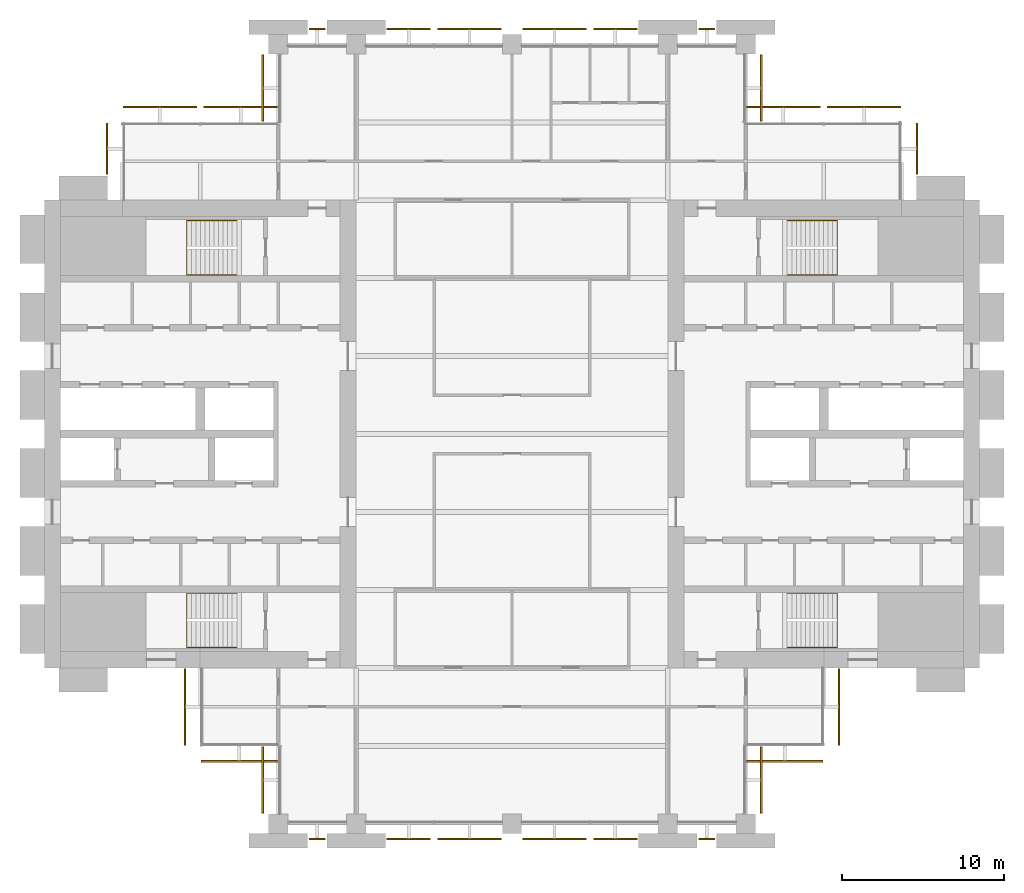
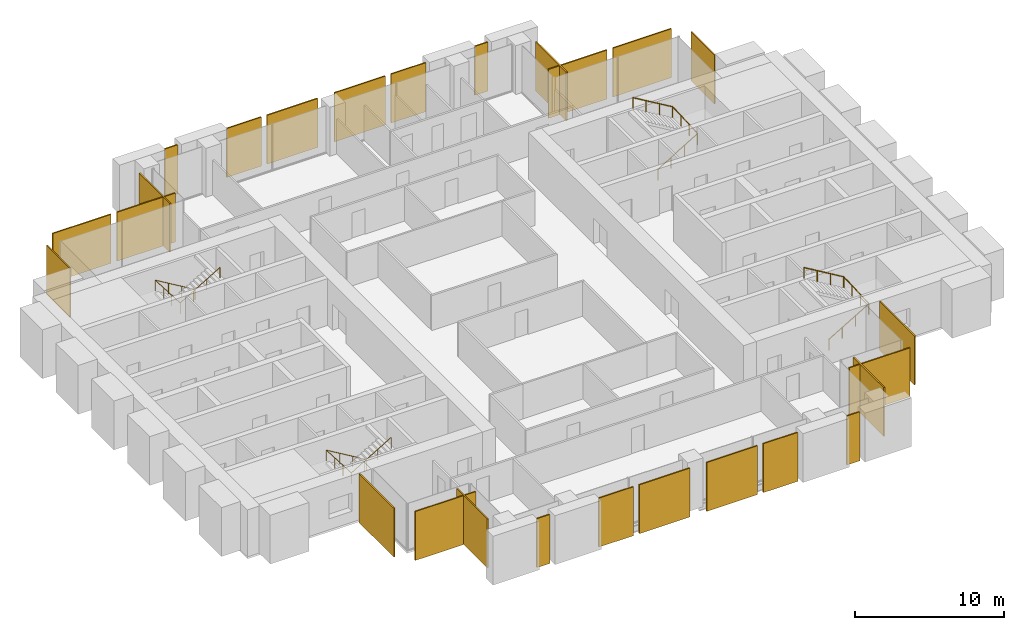
# One storey, part 14 of 14: 26 coverings, 4 railings.
"""IFC4 building model written with IfcOpenShell, lengths in metres."""

from ifc_helpers import new_model, si_unit, direction, frame, origin, origin_2d, place, context, subcontext, project, spatial, polyline, circle, outline, extrude, material, layer, layer_set, type_object, element, save


model = new_model("IFC4")

# Units and contexts
model_context = context("Model", 3, precision=1e-05, world=origin(), true_north=direction((0.0, 1.0)))
body_context = subcontext(model_context, "Body", "Model", "MODEL_VIEW")
ifc_project = project(units=[si_unit("LENGTHUNIT", "METRE"), si_unit("AREAUNIT", "SQUARE_METRE"), si_unit("VOLUMEUNIT", "CUBIC_METRE"), si_unit("PLANEANGLEUNIT", "RADIAN"), si_unit("MASSUNIT", "GRAM", prefix="KILO")], contexts=[model_context])

# Site, building, storey
site_placement = place(None, origin())
site = spatial("IfcSite", under=ifc_project, at=site_placement, CompositionType="ELEMENT")
building_placement = place(site_placement, origin())
building = spatial("IfcBuilding", under=site, at=building_placement, Name="Baori Bourse Tower", CompositionType="ELEMENT")
storey_placement = place(building_placement, frame((0.0, 0.0, 124.10009765625)))
storey = spatial("IfcBuildingStorey", under=building, at=storey_placement, Name="L26", CompositionType="ELEMENT", Elevation=124.10009765625)

# Railings
ifc_material_1 = material(Name="Powder-coated steel balustrade", Category="steel")
railing_type = type_object("IfcRailingType", Name="Core stair handrail", PredefinedType="HANDRAIL", material=ifc_material_1)
railing_1_placement = place(storey_placement, frame((11.85009765625, 14.199951171875, 0.16650390625)))
element("IfcRailing", 1, at=railing_1_placement, inside=storey, type_object=railing_type, Name="L26 ST1 stair handrail 1", PredefinedType="HANDRAIL", context=body_context, shape_type="SweptSolid", body=[
    extrude(circle(Radius=0.02392578125, at=origin_2d()), frame((0.0, 0.0, 0.8759765625), z_axis=(-0.85927862911, 0.0, 0.511507807912), x_axis=(0.0, -1.0, 0.0)), (0.0, 0.0, 1.0), 3.58447265625),
    extrude(circle(Radius=0.02392578125, at=origin_2d()), frame((-3.080078125, 0.0, 2.70947265625), z_axis=(0.0, -0.998766999029, 0.049643545903), x_axis=(1.0, 0.0, 0.0)), (0.0, 0.0, 1.0), 3.35400390625),
    extrude(circle(Radius=0.02392578125, at=origin_2d()), frame((-3.080078125, -3.349853515625, 2.8759765625), z_axis=(0.85927862911, 0.0, 0.511507807912), x_axis=(0.0, 1.0, 0.0)), (0.0, 0.0, 1.0), 3.58447265625),
    extrude(circle(Radius=0.02099609375, at=origin_2d()), origin(), (0.0, 0.0, 1.0), 0.851806640625),
    extrude(circle(Radius=0.02099609375, at=origin_2d()), frame((-1.026611328125, 0.0, 0.611083984375)), (0.0, 0.0, 1.0), 0.851806640625),
    extrude(circle(Radius=0.02099609375, at=origin_2d()), frame((-2.053466796875, 0.0, 1.222412109375)), (0.0, 0.0, 1.0), 0.851806640625),
    extrude(circle(Radius=0.02099609375, at=origin_2d()), frame((-3.080078125, 0.0, 1.83349609375)), (0.0, 0.0, 1.0), 0.851806640625),
    extrude(circle(Radius=0.02099609375, at=origin_2d()), frame((-3.080078125, -1.11669921875, 1.888916015625)), (0.0, 0.0, 1.0), 0.851806640625),
    extrude(circle(Radius=0.02099609375, at=origin_2d()), frame((-3.080078125, -2.233154296875, 1.944580078125)), (0.0, 0.0, 1.0), 0.851806640625),
    extrude(circle(Radius=0.02099609375, at=origin_2d()), frame((-3.080078125, -3.349853515625, 2.0)), (0.0, 0.0, 1.0), 0.851806640625),
    extrude(circle(Radius=0.02099609375, at=origin_2d()), frame((-2.053466796875, -3.349853515625, 2.611083984375)), (0.0, 0.0, 1.0), 0.851806640625),
    extrude(circle(Radius=0.02099609375, at=origin_2d()), frame((-1.026611328125, -3.349853515625, 3.222412109375)), (0.0, 0.0, 1.0), 0.851806640625),
    extrude(circle(Radius=0.02099609375, at=origin_2d()), frame((0.0, -3.349853515625, 3.83349609375)), (0.0, 0.0, 1.0), 0.851806640625),
])
railing_2_placement = place(storey_placement, frame((11.85009765625, 37.14990234375, 0.16650390625)))
element("IfcRailing", 2, at=railing_2_placement, inside=storey, type_object=railing_type, Name="L26 ST2 stair handrail 1", PredefinedType="HANDRAIL", context=body_context, shape_type="SweptSolid", body=[
    extrude(circle(Radius=0.02392578125, at=origin_2d()), frame((0.0, 0.0, 0.8759765625), z_axis=(-0.85927862911, 0.0, 0.511507807912), x_axis=(0.0, -1.0, 0.0)), (0.0, 0.0, 1.0), 3.58447265625),
    extrude(circle(Radius=0.02392578125, at=origin_2d()), frame((-3.080078125, 0.0, 2.70947265625), z_axis=(0.0, -0.998766999029, 0.049643545903), x_axis=(1.0, 0.0, 0.0)), (0.0, 0.0, 1.0), 3.35400390625),
    extrude(circle(Radius=0.02392578125, at=origin_2d()), frame((-3.080078125, -3.349853515625, 2.8759765625), z_axis=(0.85927862911, 0.0, 0.511507807912), x_axis=(0.0, 1.0, 0.0)), (0.0, 0.0, 1.0), 3.58447265625),
    extrude(circle(Radius=0.02099609375, at=origin_2d()), origin(), (0.0, 0.0, 1.0), 0.851806640625),
    extrude(circle(Radius=0.02099609375, at=origin_2d()), frame((-1.026611328125, 0.0, 0.611083984375)), (0.0, 0.0, 1.0), 0.851806640625),
    extrude(circle(Radius=0.02099609375, at=origin_2d()), frame((-2.053466796875, 0.0, 1.222412109375)), (0.0, 0.0, 1.0), 0.851806640625),
    extrude(circle(Radius=0.02099609375, at=origin_2d()), frame((-3.080078125, 0.0, 1.83349609375)), (0.0, 0.0, 1.0), 0.851806640625),
    extrude(circle(Radius=0.02099609375, at=origin_2d()), frame((-3.080078125, -1.11669921875, 1.888916015625)), (0.0, 0.0, 1.0), 0.851806640625),
    extrude(circle(Radius=0.02099609375, at=origin_2d()), frame((-3.080078125, -2.233154296875, 1.944580078125)), (0.0, 0.0, 1.0), 0.851806640625),
    extrude(circle(Radius=0.02099609375, at=origin_2d()), frame((-3.080078125, -3.349853515625, 2.0)), (0.0, 0.0, 1.0), 0.851806640625),
    extrude(circle(Radius=0.02099609375, at=origin_2d()), frame((-2.053466796875, -3.349853515625, 2.611083984375)), (0.0, 0.0, 1.0), 0.851806640625),
    extrude(circle(Radius=0.02099609375, at=origin_2d()), frame((-1.026611328125, -3.349853515625, 3.222412109375)), (0.0, 0.0, 1.0), 0.851806640625),
    extrude(circle(Radius=0.02099609375, at=origin_2d()), frame((0.0, -3.349853515625, 3.83349609375)), (0.0, 0.0, 1.0), 0.851806640625),
])
railing_3_placement = place(storey_placement, frame((45.75, 10.85009765625, 0.16650390625)))
element("IfcRailing", 3, at=railing_3_placement, inside=storey, type_object=railing_type, Name="L26 ST3 stair handrail 1", PredefinedType="HANDRAIL", context=body_context, shape_type="SweptSolid", body=[
    extrude(circle(Radius=0.02392578125, at=origin_2d()), frame((0.0, 0.0, 0.8759765625), z_axis=(0.85927862911, 0.0, 0.511507807912), x_axis=(0.0, 1.0, 0.0)), (0.0, 0.0, 1.0), 3.58447265625),
    extrude(circle(Radius=0.02392578125, at=origin_2d()), frame((3.080078125, 0.0, 2.70947265625), z_axis=(0.0, 0.998766999029, 0.049643545903), x_axis=(-1.0, 0.0, 0.0)), (0.0, 0.0, 1.0), 3.35400390625),
    extrude(circle(Radius=0.02392578125, at=origin_2d()), frame((3.080078125, 3.349853515625, 2.8759765625), z_axis=(-0.85927862911, 0.0, 0.511507807912), x_axis=(0.0, -1.0, 0.0)), (0.0, 0.0, 1.0), 3.58447265625),
    extrude(circle(Radius=0.02099609375, at=origin_2d()), origin(), (0.0, 0.0, 1.0), 0.851806640625),
    extrude(circle(Radius=0.02099609375, at=origin_2d()), frame((1.026611328125, 0.0, 0.611083984375)), (0.0, 0.0, 1.0), 0.851806640625),
    extrude(circle(Radius=0.02099609375, at=origin_2d()), frame((2.053466796875, 0.0, 1.222412109375)), (0.0, 0.0, 1.0), 0.851806640625),
    extrude(circle(Radius=0.02099609375, at=origin_2d()), frame((3.080078125, 0.0, 1.83349609375)), (0.0, 0.0, 1.0), 0.851806640625),
    extrude(circle(Radius=0.02099609375, at=origin_2d()), frame((3.080078125, 1.11669921875, 1.888916015625)), (0.0, 0.0, 1.0), 0.851806640625),
    extrude(circle(Radius=0.02099609375, at=origin_2d()), frame((3.080078125, 2.233154296875, 1.944580078125)), (0.0, 0.0, 1.0), 0.851806640625),
    extrude(circle(Radius=0.02099609375, at=origin_2d()), frame((3.080078125, 3.349853515625, 2.0)), (0.0, 0.0, 1.0), 0.851806640625),
    extrude(circle(Radius=0.02099609375, at=origin_2d()), frame((2.053466796875, 3.349853515625, 2.611083984375)), (0.0, 0.0, 1.0), 0.851806640625),
    extrude(circle(Radius=0.02099609375, at=origin_2d()), frame((1.026611328125, 3.349853515625, 3.222412109375)), (0.0, 0.0, 1.0), 0.851806640625),
    extrude(circle(Radius=0.02099609375, at=origin_2d()), frame((0.0, 3.349853515625, 3.83349609375)), (0.0, 0.0, 1.0), 0.851806640625),
])
railing_4_placement = place(storey_placement, frame((45.75, 33.800048828125, 0.16650390625)))
element("IfcRailing", 4, at=railing_4_placement, inside=storey, type_object=railing_type, Name="L26 ST4 stair handrail 1", PredefinedType="HANDRAIL", context=body_context, shape_type="SweptSolid", body=[
    extrude(circle(Radius=0.02392578125, at=origin_2d()), frame((0.0, 0.0, 0.8759765625), z_axis=(0.85927862911, 0.0, 0.511507807912), x_axis=(0.0, 1.0, 0.0)), (0.0, 0.0, 1.0), 3.58447265625),
    extrude(circle(Radius=0.02392578125, at=origin_2d()), frame((3.080078125, 0.0, 2.70947265625), z_axis=(0.0, 0.998766999029, 0.049643545903), x_axis=(-1.0, 0.0, 0.0)), (0.0, 0.0, 1.0), 3.35400390625),
    extrude(circle(Radius=0.02392578125, at=origin_2d()), frame((3.080078125, 3.349853515625, 2.8759765625), z_axis=(-0.85927862911, 0.0, 0.511507807912), x_axis=(0.0, -1.0, 0.0)), (0.0, 0.0, 1.0), 3.58447265625),
    extrude(circle(Radius=0.02099609375, at=origin_2d()), origin(), (0.0, 0.0, 1.0), 0.851806640625),
    extrude(circle(Radius=0.02099609375, at=origin_2d()), frame((1.026611328125, 0.0, 0.611083984375)), (0.0, 0.0, 1.0), 0.851806640625),
    extrude(circle(Radius=0.02099609375, at=origin_2d()), frame((2.053466796875, 0.0, 1.222412109375)), (0.0, 0.0, 1.0), 0.851806640625),
    extrude(circle(Radius=0.02099609375, at=origin_2d()), frame((3.080078125, 0.0, 1.83349609375)), (0.0, 0.0, 1.0), 0.851806640625),
    extrude(circle(Radius=0.02099609375, at=origin_2d()), frame((3.080078125, 1.11669921875, 1.888916015625)), (0.0, 0.0, 1.0), 0.851806640625),
    extrude(circle(Radius=0.02099609375, at=origin_2d()), frame((3.080078125, 2.233154296875, 1.944580078125)), (0.0, 0.0, 1.0), 0.851806640625),
    extrude(circle(Radius=0.02099609375, at=origin_2d()), frame((3.080078125, 3.349853515625, 2.0)), (0.0, 0.0, 1.0), 0.851806640625),
    extrude(circle(Radius=0.02099609375, at=origin_2d()), frame((2.053466796875, 3.349853515625, 2.611083984375)), (0.0, 0.0, 1.0), 0.851806640625),
    extrude(circle(Radius=0.02099609375, at=origin_2d()), frame((1.026611328125, 3.349853515625, 3.222412109375)), (0.0, 0.0, 1.0), 0.851806640625),
    extrude(circle(Radius=0.02099609375, at=origin_2d()), frame((0.0, 3.349853515625, 3.83349609375)), (0.0, 0.0, 1.0), 0.851806640625),
])

# Coverings
ifc_material_2 = material(Name="Pale anodised aluminium", Category="aluminium")
ifc_layer = layer(ifc_material_2, 0.10009765625)
ifc_layer_set = layer_set([ifc_layer], Name="OS3 Outer skin screen panel")
covering_type = type_object("IfcCoveringType", Name="OS3 Outer skin screen panel", PredefinedType="CLADDING", material=ifc_layer_set)
covering_1_placement = place(storey_placement, frame((0.0, 0.0, -0.16015625)))
element("IfcCovering", 5, at=covering_1_placement, inside=storey, type_object=covering_type, Name="Outer skin screen L26 1", PredefinedType="CLADDING", context=body_context, shape_type="SweptSolid", body=[
    extrude(outline(polyline([(53.699951171875, 43.14990234375), (53.699951171875, 40.0), (53.800048828125, 40.0), (53.800048828125, 43.14990234375), (53.699951171875, 43.14990234375)])), origin(), (0.0, 0.0, 1.0), 4.0),
])
covering_2_placement = place(storey_placement, frame((0.0, 0.0, -0.16015625)))
element("IfcCovering", 6, at=covering_2_placement, inside=storey, type_object=covering_type, Name="Outer skin screen L26 2", PredefinedType="CLADDING", context=body_context, shape_type="SweptSolid", body=[
    extrude(outline(polyline([(48.22509765625, 44.10009765625), (52.75, 44.10009765625), (52.75, 44.199951171875), (48.22509765625, 44.199951171875), (48.22509765625, 44.10009765625)])), origin(), (0.0, 0.0, 1.0), 4.0),
])
covering_3_placement = place(storey_placement, frame((0.0, 0.0, -0.16015625)))
element("IfcCovering", 7, at=covering_3_placement, inside=storey, type_object=covering_type, Name="Outer skin screen L26 3", PredefinedType="CLADDING", context=body_context, shape_type="SweptSolid", body=[
    extrude(outline(polyline([(43.25, 44.10009765625), (47.77490234375, 44.10009765625), (47.77490234375, 44.199951171875), (43.25, 44.199951171875), (43.25, 44.10009765625)])), origin(), (0.0, 0.0, 1.0), 4.0),
])
covering_4_placement = place(storey_placement, frame((0.0, 0.0, -0.16015625)))
element("IfcCovering", 8, at=covering_4_placement, inside=storey, type_object=covering_type, Name="Outer skin screen L26 4", PredefinedType="CLADDING", context=body_context, shape_type="SweptSolid", body=[
    extrude(outline(polyline([(44.10009765625, 47.35009765625), (44.10009765625, 43.25), (44.199951171875, 43.25), (44.199951171875, 47.35009765625), (44.10009765625, 47.35009765625)])), origin(), (0.0, 0.0, 1.0), 4.0),
])
covering_5_placement = place(storey_placement, frame((0.0, 0.0, -0.16015625)))
element("IfcCovering", 9, at=covering_5_placement, inside=storey, type_object=covering_type, Name="Outer skin screen L26 5", PredefinedType="CLADDING", context=body_context, shape_type="SweptSolid", body=[
    extrude(outline(polyline([(40.300048828125, 48.89990234375), (41.300048828125, 48.89990234375), (41.300048828125, 49.0), (40.300048828125, 49.0), (40.300048828125, 48.89990234375)])), origin(), (0.0, 0.0, 1.0), 4.0),
])
covering_6_placement = place(storey_placement, frame((0.0, 0.0, -0.16015625)))
element("IfcCovering", 10, at=covering_6_placement, inside=storey, type_object=covering_type, Name="Outer skin screen L26 6", PredefinedType="CLADDING", context=body_context, shape_type="SweptSolid", body=[
    extrude(outline(polyline([(33.824951171875, 48.89990234375), (36.5, 48.89990234375), (36.5, 49.0), (33.824951171875, 49.0), (33.824951171875, 48.89990234375)])), origin(), (0.0, 0.0, 1.0), 4.0),
])
covering_7_placement = place(storey_placement, frame((0.0, 0.0, -0.16015625)))
element("IfcCovering", 11, at=covering_7_placement, inside=storey, type_object=covering_type, Name="Outer skin screen L26 7", PredefinedType="CLADDING", context=body_context, shape_type="SweptSolid", body=[
    extrude(outline(polyline([(29.449951171875, 48.89990234375), (33.375, 48.89990234375), (33.375, 49.0), (29.449951171875, 49.0), (29.449951171875, 48.89990234375)])), origin(), (0.0, 0.0, 1.0), 4.0),
])
covering_8_placement = place(storey_placement, frame((0.0, 0.0, -0.16015625)))
element("IfcCovering", 12, at=covering_8_placement, inside=storey, type_object=covering_type, Name="Outer skin screen L26 8", PredefinedType="CLADDING", context=body_context, shape_type="SweptSolid", body=[
    extrude(outline(polyline([(24.22509765625, 48.89990234375), (28.14990234375, 48.89990234375), (28.14990234375, 49.0), (24.22509765625, 49.0), (24.22509765625, 48.89990234375)])), origin(), (0.0, 0.0, 1.0), 4.0),
])
covering_9_placement = place(storey_placement, frame((0.0, 0.0, -0.16015625)))
element("IfcCovering", 13, at=covering_9_placement, inside=storey, type_object=covering_type, Name="Outer skin screen L26 9", PredefinedType="CLADDING", context=body_context, shape_type="SweptSolid", body=[
    extrude(outline(polyline([(21.10009765625, 48.89990234375), (23.77490234375, 48.89990234375), (23.77490234375, 49.0), (21.10009765625, 49.0), (21.10009765625, 48.89990234375)])), origin(), (0.0, 0.0, 1.0), 4.0),
])
covering_10_placement = place(storey_placement, frame((0.0, 0.0, -0.16015625)))
element("IfcCovering", 14, at=covering_10_placement, inside=storey, type_object=covering_type, Name="Outer skin screen L26 10", PredefinedType="CLADDING", context=body_context, shape_type="SweptSolid", body=[
    extrude(outline(polyline([(16.300048828125, 48.89990234375), (17.300048828125, 48.89990234375), (17.300048828125, 49.0), (16.300048828125, 49.0), (16.300048828125, 48.89990234375)])), origin(), (0.0, 0.0, 1.0), 4.0),
])
covering_11_placement = place(storey_placement, frame((0.0, 0.0, -0.16015625)))
element("IfcCovering", 15, at=covering_11_placement, inside=storey, type_object=covering_type, Name="Outer skin screen L26 11", PredefinedType="CLADDING", context=body_context, shape_type="SweptSolid", body=[
    extrude(outline(polyline([(13.5, 43.25), (13.5, 47.35009765625), (13.39990234375, 47.35009765625), (13.39990234375, 43.25), (13.5, 43.25)])), origin(), (0.0, 0.0, 1.0), 4.0),
])
covering_12_placement = place(storey_placement, frame((0.0, 0.0, -0.16015625)))
element("IfcCovering", 16, at=covering_12_placement, inside=storey, type_object=covering_type, Name="Outer skin screen L26 12", PredefinedType="CLADDING", context=body_context, shape_type="SweptSolid", body=[
    extrude(outline(polyline([(9.824951171875, 44.10009765625), (14.35009765625, 44.10009765625), (14.35009765625, 44.199951171875), (9.824951171875, 44.199951171875), (9.824951171875, 44.10009765625)])), origin(), (0.0, 0.0, 1.0), 4.0),
])
covering_13_placement = place(storey_placement, frame((0.0, 0.0, -0.16015625)))
element("IfcCovering", 17, at=covering_13_placement, inside=storey, type_object=covering_type, Name="Outer skin screen L26 13", PredefinedType="CLADDING", context=body_context, shape_type="SweptSolid", body=[
    extrude(outline(polyline([(4.85009765625, 44.10009765625), (9.375, 44.10009765625), (9.375, 44.199951171875), (4.85009765625, 44.199951171875), (4.85009765625, 44.10009765625)])), origin(), (0.0, 0.0, 1.0), 4.0),
])
covering_14_placement = place(storey_placement, frame((0.0, 0.0, -0.16015625)))
element("IfcCovering", 18, at=covering_14_placement, inside=storey, type_object=covering_type, Name="Outer skin screen L26 14", PredefinedType="CLADDING", context=body_context, shape_type="SweptSolid", body=[
    extrude(outline(polyline([(3.89990234375, 40.0), (3.89990234375, 43.14990234375), (3.800048828125, 43.14990234375), (3.800048828125, 40.0), (3.89990234375, 40.0), (3.89990234375, 40.0)])), origin(), (0.0, 0.0, 1.0), 4.0),
])
covering_15_placement = place(storey_placement, frame((0.0, 0.0, -0.16015625)))
element("IfcCovering", 19, at=covering_15_placement, inside=storey, type_object=covering_type, Name="Outer skin screen L26 15", PredefinedType="CLADDING", context=body_context, shape_type="SweptSolid", body=[
    extrude(outline(polyline([(8.699951171875, 4.85009765625), (8.699951171875, 9.550048828125), (8.60009765625, 9.550048828125), (8.60009765625, 4.85009765625), (8.699951171875, 4.85009765625)])), origin(), (0.0, 0.0, 1.0), 4.0),
])
covering_16_placement = place(storey_placement, frame((0.0, 0.0, -0.16015625)))
element("IfcCovering", 20, at=covering_16_placement, inside=storey, type_object=covering_type, Name="Outer skin screen L26 16", PredefinedType="CLADDING", context=body_context, shape_type="SweptSolid", body=[
    extrude(outline(polyline([(14.35009765625, 3.89990234375), (9.64990234375, 3.89990234375), (9.64990234375, 3.800048828125), (14.35009765625, 3.800048828125), (14.35009765625, 3.89990234375)])), origin(), (0.0, 0.0, 1.0), 4.0),
])
covering_17_placement = place(storey_placement, frame((0.0, 0.0, -0.16015625)))
element("IfcCovering", 21, at=covering_17_placement, inside=storey, type_object=covering_type, Name="Outer skin screen L26 17", PredefinedType="CLADDING", context=body_context, shape_type="SweptSolid", body=[
    extrude(outline(polyline([(13.5, 0.64990234375), (13.5, 4.75), (13.39990234375, 4.75), (13.39990234375, 0.64990234375), (13.5, 0.64990234375)])), origin(), (0.0, 0.0, 1.0), 4.0),
])
covering_18_placement = place(storey_placement, frame((0.0, 0.0, -0.16015625)))
element("IfcCovering", 22, at=covering_18_placement, inside=storey, type_object=covering_type, Name="Outer skin screen L26 18", PredefinedType="CLADDING", context=body_context, shape_type="SweptSolid", body=[
    extrude(outline(polyline([(17.300048828125, -0.89990234375), (16.300048828125, -0.89990234375), (16.300048828125, -1.0), (17.300048828125, -1.0), (17.300048828125, -0.89990234375)])), origin(), (0.0, 0.0, 1.0), 4.0),
])
covering_19_placement = place(storey_placement, frame((0.0, 0.0, -0.16015625)))
element("IfcCovering", 23, at=covering_19_placement, inside=storey, type_object=covering_type, Name="Outer skin screen L26 19", PredefinedType="CLADDING", context=body_context, shape_type="SweptSolid", body=[
    extrude(outline(polyline([(23.77490234375, -0.89990234375), (21.10009765625, -0.89990234375), (21.10009765625, -1.0), (23.77490234375, -1.0), (23.77490234375, -0.89990234375)])), origin(), (0.0, 0.0, 1.0), 4.0),
])
covering_20_placement = place(storey_placement, frame((0.0, 0.0, -0.16015625)))
element("IfcCovering", 24, at=covering_20_placement, inside=storey, type_object=covering_type, Name="Outer skin screen L26 20", PredefinedType="CLADDING", context=body_context, shape_type="SweptSolid", body=[
    extrude(outline(polyline([(28.14990234375, -0.89990234375), (24.22509765625, -0.89990234375), (24.22509765625, -1.0), (28.14990234375, -1.0), (28.14990234375, -0.89990234375)])), origin(), (0.0, 0.0, 1.0), 4.0),
])
covering_21_placement = place(storey_placement, frame((0.0, 0.0, -0.16015625)))
element("IfcCovering", 25, at=covering_21_placement, inside=storey, type_object=covering_type, Name="Outer skin screen L26 21", PredefinedType="CLADDING", context=body_context, shape_type="SweptSolid", body=[
    extrude(outline(polyline([(33.375, -0.89990234375), (29.449951171875, -0.89990234375), (29.449951171875, -1.0), (33.375, -1.0), (33.375, -0.89990234375)])), origin(), (0.0, 0.0, 1.0), 4.0),
])
covering_22_placement = place(storey_placement, frame((0.0, 0.0, -0.16015625)))
element("IfcCovering", 26, at=covering_22_placement, inside=storey, type_object=covering_type, Name="Outer skin screen L26 22", PredefinedType="CLADDING", context=body_context, shape_type="SweptSolid", body=[
    extrude(outline(polyline([(36.5, -0.89990234375), (33.824951171875, -0.89990234375), (33.824951171875, -1.0), (36.5, -1.0), (36.5, -0.89990234375)])), origin(), (0.0, 0.0, 1.0), 4.0),
])
covering_23_placement = place(storey_placement, frame((0.0, 0.0, -0.16015625)))
element("IfcCovering", 27, at=covering_23_placement, inside=storey, type_object=covering_type, Name="Outer skin screen L26 23", PredefinedType="CLADDING", context=body_context, shape_type="SweptSolid", body=[
    extrude(outline(polyline([(41.300048828125, -0.89990234375), (40.300048828125, -0.89990234375), (40.300048828125, -1.0), (41.300048828125, -1.0), (41.300048828125, -0.89990234375)])), origin(), (0.0, 0.0, 1.0), 4.0),
])
covering_24_placement = place(storey_placement, frame((0.0, 0.0, -0.16015625)))
element("IfcCovering", 28, at=covering_24_placement, inside=storey, type_object=covering_type, Name="Outer skin screen L26 24", PredefinedType="CLADDING", context=body_context, shape_type="SweptSolid", body=[
    extrude(outline(polyline([(44.10009765625, 4.75), (44.10009765625, 0.64990234375), (44.199951171875, 0.64990234375), (44.199951171875, 4.75), (44.10009765625, 4.75)])), origin(), (0.0, 0.0, 1.0), 4.0),
])
covering_25_placement = place(storey_placement, frame((0.0, 0.0, -0.16015625)))
element("IfcCovering", 29, at=covering_25_placement, inside=storey, type_object=covering_type, Name="Outer skin screen L26 25", PredefinedType="CLADDING", context=body_context, shape_type="SweptSolid", body=[
    extrude(outline(polyline([(47.949951171875, 3.89990234375), (43.25, 3.89990234375), (43.25, 3.800048828125), (47.949951171875, 3.800048828125), (47.949951171875, 3.89990234375)])), origin(), (0.0, 0.0, 1.0), 4.0),
])
covering_26_placement = place(storey_placement, frame((0.0, 0.0, -0.16015625)))
element("IfcCovering", 30, at=covering_26_placement, inside=storey, type_object=covering_type, Name="Outer skin screen L26 26", PredefinedType="CLADDING", context=body_context, shape_type="SweptSolid", body=[
    extrude(outline(polyline([(48.89990234375, 9.550048828125), (48.89990234375, 4.85009765625), (49.0, 4.85009765625), (49.0, 9.550048828125), (48.89990234375, 9.550048828125)])), origin(), (0.0, 0.0, 1.0), 4.0),
])

save(model, "model.ifc")
